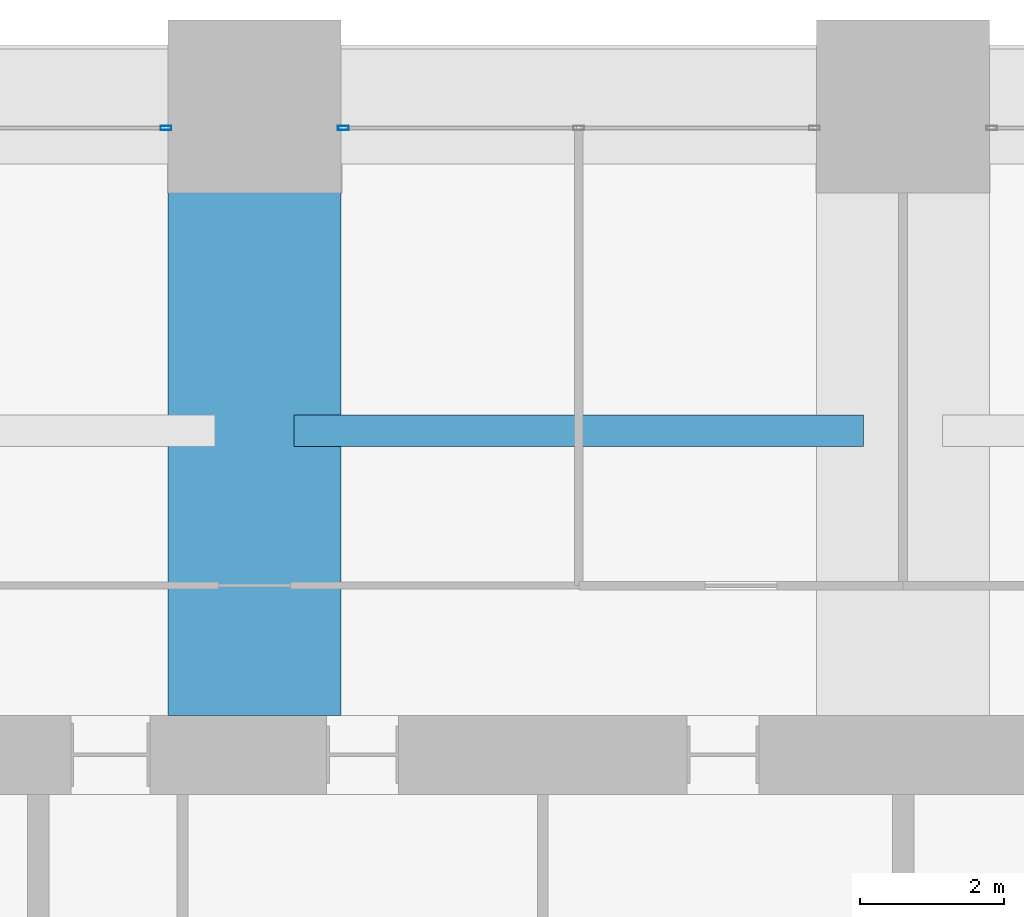
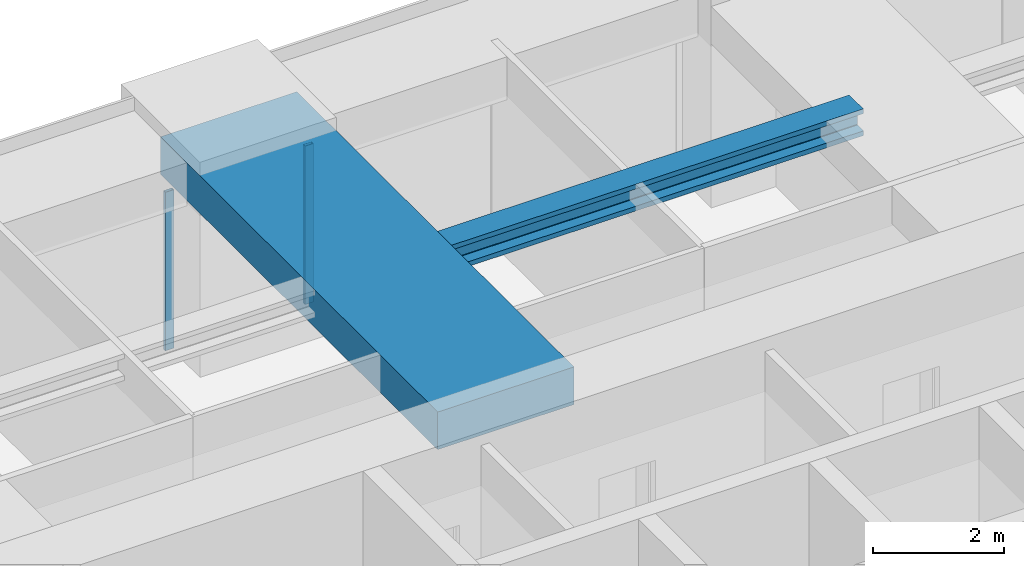
# One storey, part 24 of 35: 2 beams, 2 members, 2 elements without a shape of their own.
"""IFC4 building model written with IfcOpenShell, lengths in metres."""

import ifcopenshell
import ifcopenshell.guid

model = None  # the IFC model being written
_history = None  # IfcOwnerHistory: only IFC2X3 demands one
_inside = {}  # id of a spatial element -> (the spatial element, [elements in it])
_under = {}  # id of a project, library or spatial element -> (it, [spatial elements below it])
_declared = {}  # id of a project -> (the project, [libraries it declares])
_typed = {}  # id of a type object -> (the type object, [elements of that type])
_made_of = {}  # id of a material, layer set ... -> (it, [elements and type objects made of it])


def new_model(schema):
    """Start an empty IFC model of exactly this schema.

    Asked for "IFC4X3", IfcOpenShell would pick the latest addendum, in which some entities
    have other attributes; the version numbers below select the first issue.
    IFC2X3 requires an IfcOwnerHistory on every rooted entity: one is made here for all.
    """
    global model, _history
    if schema == "IFC4X3":
        model = ifcopenshell.file(schema_version=(4, 3, 0, 0))
    else:
        model = ifcopenshell.file(schema=schema)
    _inside.clear()
    _under.clear()
    _declared.clear()
    _typed.clear()
    _made_of.clear()
    _history = None
    if model.schema == "IFC2X3":
        org = make("IfcOrganization", Name="unknown")
        user = make(
            "IfcPersonAndOrganization",
            ThePerson=make("IfcPerson", FamilyName="unknown"),
            TheOrganization=org,
        )
        app = make(
            "IfcApplication",
            ApplicationDeveloper=org,
            Version="unknown",
            ApplicationFullName="unknown",
            ApplicationIdentifier="unknown",
        )
        _history = make(
            "IfcOwnerHistory",
            OwningUser=user,
            OwningApplication=app,
            ChangeAction="ADDED",
            CreationDate=0,
        )
    return model


def make(cls, **values):
    """One entity of the class cls with the attributes given. An attribute that is None is left unset."""
    return model.create_entity(
        cls, **{name: value for name, value in values.items() if value is not None}
    )


def rooted(cls, **values):
    """An entity with a GlobalId (a new one), such as an element, a storey or a relation."""
    return make(cls, GlobalId=ifcopenshell.guid.new(), OwnerHistory=_history, **values)


def si_unit(unit_type, name, prefix=None):
    """IfcSIUnit, for example si_unit("LENGTHUNIT", "METRE", prefix="MILLI")."""
    return make("IfcSIUnit", UnitType=unit_type, Prefix=prefix, Name=name)


def assignment(units):
    """IfcUnitAssignment: the units of a project."""
    return None if units is None else make("IfcUnitAssignment", Units=units)


def point(xyz):
    """IfcCartesianPoint."""
    return None if xyz is None else make("IfcCartesianPoint", Coordinates=xyz)


def direction(xyz):
    """IfcDirection."""
    return None if xyz is None else make("IfcDirection", DirectionRatios=xyz)


def frame(location, z_axis=None, x_axis=None):
    """IfcAxis2Placement3D, a coordinate frame: its origin and axes. An axis left out is left unset."""
    return make(
        "IfcAxis2Placement3D",
        Location=point(location),
        Axis=direction(z_axis),
        RefDirection=direction(x_axis),
    )


def frame_2d(location, x_axis=None):
    """IfcAxis2Placement2D, a coordinate frame in the plane: its origin and x axis."""
    return make(
        "IfcAxis2Placement2D", Location=point(location), RefDirection=direction(x_axis)
    )


def origin():
    """The frame at (0, 0, 0) with its axes left unset."""
    return frame((0.0, 0.0, 0.0))


def origin_2d():
    """The frame at (0, 0) in the plane with its x axis left unset."""
    return frame_2d((0.0, 0.0))


def place(relative_to, where):
    """IfcLocalPlacement: puts the frame where relative to a parent placement (None: the world)."""
    return make(
        "IfcLocalPlacement", PlacementRelTo=relative_to, RelativePlacement=where
    )


def context(
    kind, dimensions, precision=None, world=None, true_north=None, identifier=None
):
    """IfcGeometricRepresentationContext, for example the 3D "Model" context."""
    return make(
        "IfcGeometricRepresentationContext",
        ContextIdentifier=identifier,
        ContextType=kind,
        CoordinateSpaceDimension=dimensions,
        Precision=precision,
        WorldCoordinateSystem=world,
        TrueNorth=true_north,
    )


def subcontext(parent, identifier, kind, view, scale=None):
    """IfcGeometricRepresentationSubContext, for example "Body" below "Model"."""
    return make(
        "IfcGeometricRepresentationSubContext",
        ContextIdentifier=identifier,
        ContextType=kind,
        ParentContext=parent,
        TargetScale=scale,
        TargetView=view,
    )


def project(units=None, contexts=None):
    """IfcProject with its units and contexts."""
    return rooted(
        "IfcProject",
        Name="project",
        RepresentationContexts=contexts,
        UnitsInContext=assignment(units),
    )


def spatial(cls, under=None, at=None, **own):
    """A site, building, storey or space (cls), placed at a placement, below another one or the project."""
    s = rooted(cls, ObjectPlacement=at, **own)
    if under is not None:
        _under.setdefault(under.id(), (under, []))[1].append(s)
    return s


def profile(cls, at=None, kind="AREA", **sizes):
    """A parametric profile (cls). Its sizes go by their IFC names, for example OverallWidth=200.0."""
    return make(cls, ProfileType=kind, Position=at, **sizes)


def rectangle(**sizes):
    """IfcRectangleProfileDef."""
    return profile("IfcRectangleProfileDef", **sizes)


def hollow_rectangle(**sizes):
    """IfcRectangleHollowProfileDef."""
    return profile("IfcRectangleHollowProfileDef", **sizes)


def i_section(**sizes):
    """IfcIShapeProfileDef."""
    return profile("IfcIShapeProfileDef", **sizes)


def extrude(swept, where, along, depth):
    """IfcExtrudedAreaSolid: the profile swept, set in the frame where, extruded along a direction by depth."""
    return make(
        "IfcExtrudedAreaSolid",
        SweptArea=swept,
        Position=where,
        ExtrudedDirection=direction(along),
        Depth=depth,
    )


def shape(context_of_items, identifier, shape_type, items):
    """IfcShapeRepresentation: the items that make up one representation, for example the "Body"."""
    return make(
        "IfcShapeRepresentation",
        ContextOfItems=context_of_items,
        RepresentationIdentifier=identifier,
        RepresentationType=shape_type,
        Items=items,
    )


def material(Name=None, Category=None):
    """IfcMaterial."""
    return make("IfcMaterial", Name=Name, Category=Category)


def material_profile(
    of_material, cross_section, Name=None, Category=None, Priority=None
):
    """IfcMaterialProfile: a cross section and its material."""
    return make(
        "IfcMaterialProfile",
        Name=Name,
        Material=of_material,
        Profile=cross_section,
        Priority=Priority,
        Category=Category,
    )


def profile_set(profiles, Name=None, composite=None):
    """IfcMaterialProfileSet."""
    return make(
        "IfcMaterialProfileSet",
        Name=Name,
        MaterialProfiles=profiles,
        CompositeProfile=composite,
    )


def made_of(thing, what):
    """Note that an element or type object is made of a material, layer set ...; save() writes the relation."""
    if what is not None:
        _made_of.setdefault(what.id(), (what, []))[1].append(thing)
    return thing


def type_object(cls, material=None, **own):
    """A type object (cls), such as IfcWallType, which elements share."""
    return made_of(rooted(cls, **own), material)


def element(
    cls,
    number,
    at=None,
    inside=None,
    cuts=None,
    type_object=None,
    material=None,
    context=None,
    identifier="Body",
    shape_type=None,
    held_by="IfcProductDefinitionShape",
    body=None,
    shapes=None,
    **own,
):
    """One element of the class cls, such as IfcWall. Its Tag is "e" and its number.

    at: its placement. inside: the storey or other place that contains it. cuts: it is an
    opening in that element (IfcRelVoidsElement). A single representation is given by context,
    identifier, shape_type and body (its items); several are given by shapes. held_by: the class
    of the entity that holds the representations. save() writes the other relations.
    """
    e = rooted(cls, Tag="e%d" % number, ObjectPlacement=at, **own)
    if body is not None:
        shapes = [shape(context, identifier, shape_type, body)]
    if shapes is not None:
        e.Representation = make(held_by, Representations=shapes)
    if inside is not None:
        _inside.setdefault(inside.id(), (inside, []))[1].append(e)
    if cuts is not None:
        rooted(
            "IfcRelVoidsElement", RelatingBuildingElement=cuts, RelatedOpeningElement=e
        )
    if type_object is not None:
        _typed.setdefault(type_object.id(), (type_object, []))[1].append(e)
    return made_of(e, material)


def aggregate(whole, parts):
    """IfcRelAggregates: a whole, such as a stair, and the parts it consists of."""
    return rooted("IfcRelAggregates", RelatingObject=whole, RelatedObjects=parts)


def save(model, path):
    """Write the relations noted so far, then the file.

    IfcRelAggregates (storeys below a building ...), IfcRelContainedInSpatialStructure (elements
    in a storey), IfcRelDefinesByType, IfcRelAssociatesMaterial and IfcRelDeclares: one each for
    every whole, place, type object, material and project.
    """
    for whole, parts in _under.values():
        aggregate(whole, parts)
    for where, things in _inside.values():
        rooted(
            "IfcRelContainedInSpatialStructure",
            RelatedElements=things,
            RelatingStructure=where,
        )
    for kind, things in _typed.values():
        rooted("IfcRelDefinesByType", RelatedObjects=things, RelatingType=kind)
    for what, things in _made_of.values():
        rooted("IfcRelAssociatesMaterial", RelatedObjects=things, RelatingMaterial=what)
    for by, libraries in _declared.values():
        rooted("IfcRelDeclares", RelatingContext=by, RelatedDefinitions=libraries)
    model.write(path)


model = new_model("IFC4")

# Units and contexts
model_context = context("Model", 3, precision=1e-05, world=origin(), true_north=direction((0.0, 1.0)))
body_context = subcontext(model_context, "Body", "Model", "MODEL_VIEW")
ifc_project = project(units=[si_unit("LENGTHUNIT", "METRE"), si_unit("AREAUNIT", "SQUARE_METRE"), si_unit("VOLUMEUNIT", "CUBIC_METRE"), si_unit("PLANEANGLEUNIT", "RADIAN"), si_unit("MASSUNIT", "GRAM", prefix="KILO")], contexts=[model_context])

# Site, building, storey
site_placement = place(None, origin())
site = spatial("IfcSite", under=ifc_project, at=site_placement, CompositionType="ELEMENT")
building_placement = place(site_placement, origin())
building = spatial("IfcBuilding", under=site, at=building_placement, Name="Zorevar Civic Tower", CompositionType="ELEMENT")
storey_placement = place(building_placement, frame((0.0, 0.0, 222.199951171875)))
storey = spatial("IfcBuildingStorey", under=building, at=storey_placement, Name="L54", CompositionType="ELEMENT", Elevation=222.199951171875)

# Beam
ifc_material_1 = material(Name="Concrete C50/60", Category="concrete")
ifc_material_profile_1 = material_profile(ifc_material_1, rectangle(XDim=2.39990234375, YDim=0.699951171875, at=origin_2d()), Name="RC 2400x700")
ifc_profile_set_1 = profile_set([ifc_material_profile_1], Name="Concrete C50/60")
beam_type_1 = type_object("IfcBeamType", Name="Beam RC 2400x700", PredefinedType="BEAM", material=ifc_profile_set_1)
beam_1_placement = place(storey_placement, frame((27.0, 36.550048828125, 3.400146484375), z_axis=(0.0, 1.0, 0.0), x_axis=(-1.0, 0.0, 0.0)))
element("IfcBeam", 1, at=beam_1_placement, inside=storey, type_object=beam_type_1, Name="Girder L55", PredefinedType="BEAM", context=body_context, shape_type="SweptSolid", body=[
    extrude(rectangle(XDim=2.39990234375, YDim=0.699951171875, at=origin_2d()), origin(), (0.0, 0.0, 1.0), 8.449951171875),
])

# Curtain wall, member
ifc_material_2 = material(Name="Dark grey solar-control glass in black aluminium frame", Category="aluminium")
curtain_wall_type = type_object("IfcCurtainWallType", Name="Curtain wall CW4 high zone", PredefinedType="NOTDEFINED", material=ifc_material_2)
curtain_wall_1_placement = place(storey_placement, origin())
curtain_wall_1 = element("IfcCurtainWall", 2, at=curtain_wall_1_placement, inside=storey, type_object=curtain_wall_type, Name="CW4 L54", PredefinedType="NOTDEFINED")
ifc_material_3 = material(Name="Aluminium, black anodised", Category="aluminium")
ifc_material_profile_2 = material_profile(ifc_material_3, hollow_rectangle(XDim=0.06005859375, YDim=0.14990234375, WallThickness=0.00390625, at=origin_2d()), Name="AL 150x60x4")
ifc_profile_set_2 = profile_set([ifc_material_profile_2], Name="Aluminium, black anodised")
member_type = type_object("IfcMemberType", Name="CW4 mullion AL 150x60x4", PredefinedType="MULLION", material=ifc_profile_set_2)
member_1_placement = place(storey_placement, frame((25.77001953125, 44.699951171875, 0.0), z_axis=(0.0, 0.0, 1.0), x_axis=(0.0, 1.0, 0.0)))
member_1 = element("IfcMember", 3, at=member_1_placement, type_object=member_type, Name="CW4 mullion 3", PredefinedType="MULLION", context=body_context, shape_type="SweptSolid", body=[
    extrude(hollow_rectangle(XDim=0.06005859375, YDim=0.14990234375, WallThickness=0.00390625, at=origin_2d()), origin(), (0.0, 0.0, 1.0), 2.949951171875),
])
aggregate(curtain_wall_1, [member_1])

curtain_wall_2_placement = place(storey_placement, origin())
curtain_wall_2 = element("IfcCurtainWall", 4, at=curtain_wall_2_placement, inside=storey, type_object=curtain_wall_type, Name="CW4 L54", PredefinedType="NOTDEFINED")
member_2_placement = place(storey_placement, frame((28.22998046875, 44.699951171875, 0.0), z_axis=(0.0, 0.0, 1.0), x_axis=(0.0, 1.0, 0.0)))
member_2 = element("IfcMember", 5, at=member_2_placement, type_object=member_type, Name="CW4 mullion 1", PredefinedType="MULLION", context=body_context, shape_type="SweptSolid", body=[
    extrude(hollow_rectangle(XDim=0.06005859375, YDim=0.14990234375, WallThickness=0.00390625, at=origin_2d()), origin(), (0.0, 0.0, 1.0), 2.949951171875),
])
aggregate(curtain_wall_2, [member_2])

# Beam
ifc_material_4 = material(Name="Steel S460M (HISTAR 460)", Category="steel")
ifc_material_profile_3 = material_profile(ifc_material_4, i_section(OverallWidth=0.431884765625, OverallDepth=0.498046875, WebThickness=0.0556640625, FlangeThickness=0.0888671875, FilletRadius=0.014892578125, at=origin_2d()), Name="HD 400x744")
ifc_profile_set_3 = profile_set([ifc_material_profile_3], Name="Steel S460M (HISTAR 460)")
beam_type_2 = type_object("IfcBeamType", Name="Core bay beam HD 400x744", PredefinedType="BEAM", material=ifc_profile_set_3)
beam_2_placement = place(storey_placement, frame((27.550048828125, 40.5, 3.5009765625), z_axis=(1.0, 0.0, 0.0), x_axis=(0.0, 1.0, 0.0)))
element("IfcBeam", 6, at=beam_2_placement, inside=storey, type_object=beam_type_2, Name="Secondary beam L55", PredefinedType="BEAM", context=body_context, shape_type="SweptSolid", body=[
    extrude(i_section(OverallWidth=0.431884765625, OverallDepth=0.498046875, WebThickness=0.0556640625, FlangeThickness=0.0888671875, FilletRadius=0.014892578125, at=origin_2d()), origin(), (0.0, 0.0, 1.0), 7.89990234375),
])

save(model, "model.ifc")
